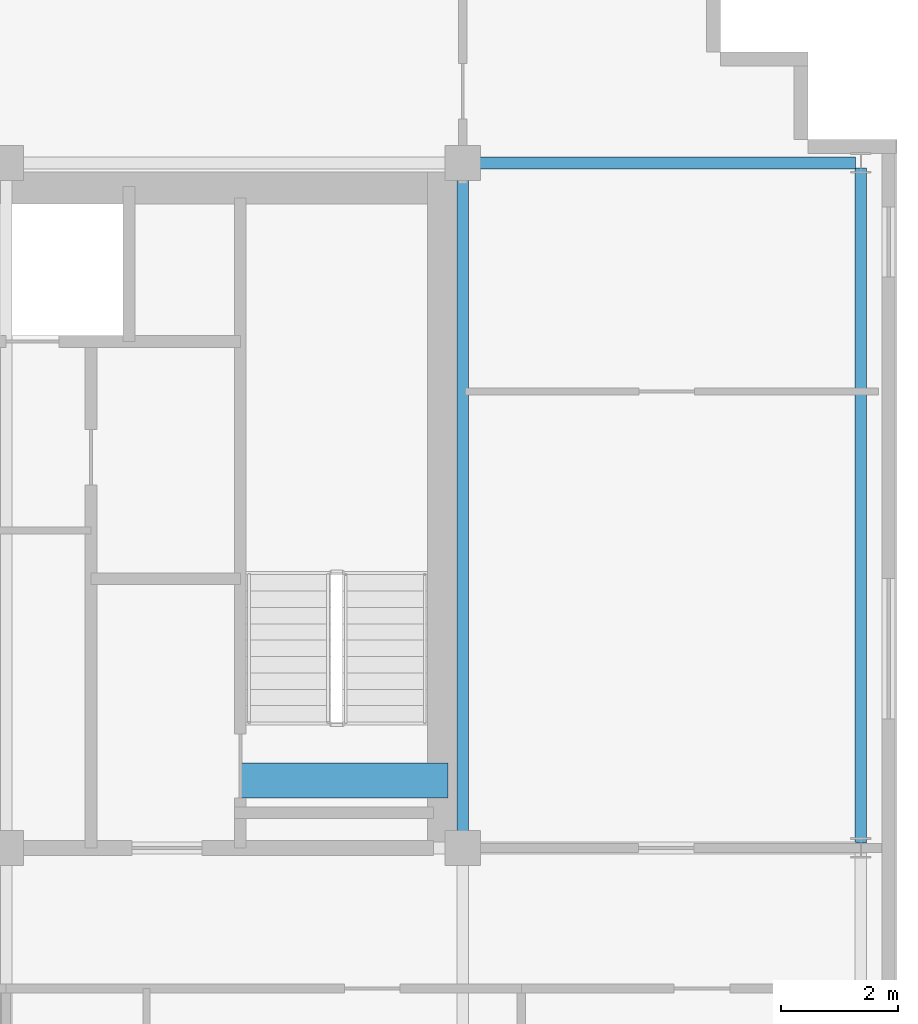
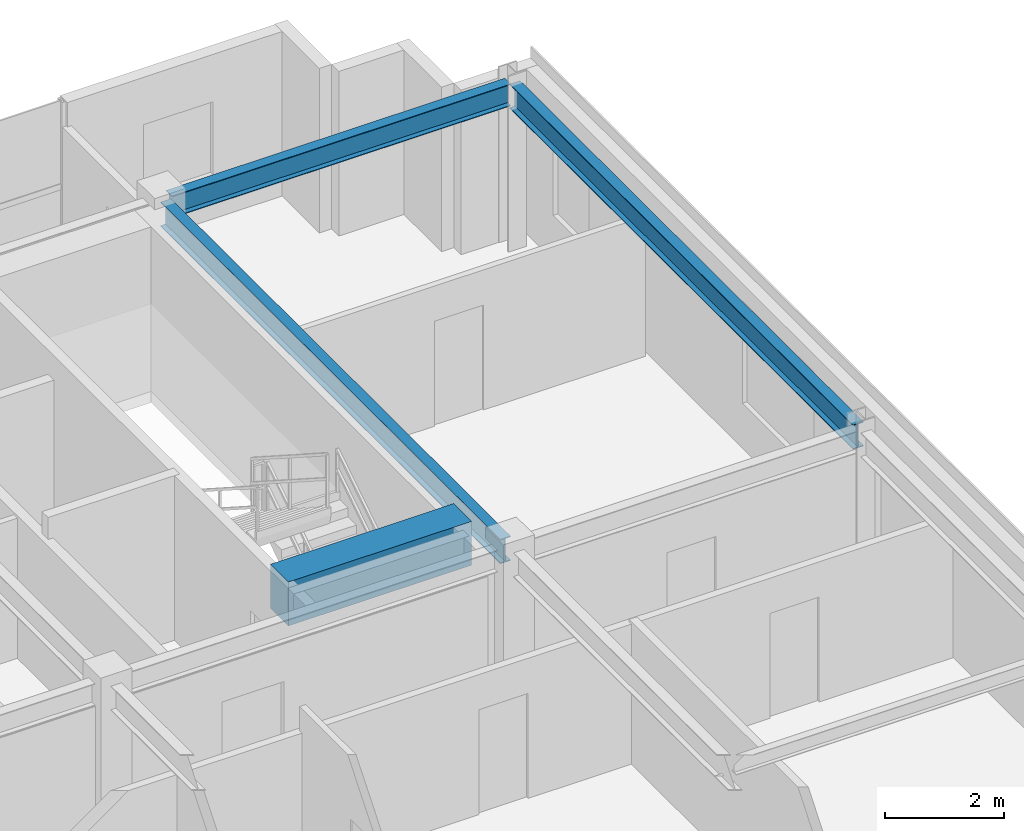
# One storey, part 13 of 22: 4 beams.
"""IFC4 building model written with IfcOpenShell, lengths in metres."""

from ifc_helpers import new_model, si_unit, direction, frame, origin, origin_2d, place, context, subcontext, project, spatial, rectangle, i_section, extrude, source, transform, mapped, material, material_profile, profile_set, type_object, element, save


model = new_model("IFC4")

# Units and contexts
model_context = context("Model", 3, precision=1e-05, world=origin(), true_north=direction((0.0, 1.0)))
body_context = subcontext(model_context, "Body", "Model", "MODEL_VIEW")
ifc_project = project(units=[si_unit("LENGTHUNIT", "METRE"), si_unit("AREAUNIT", "SQUARE_METRE"), si_unit("VOLUMEUNIT", "CUBIC_METRE"), si_unit("PLANEANGLEUNIT", "RADIAN"), si_unit("MASSUNIT", "GRAM", prefix="KILO")], contexts=[model_context])

# Site, building, storey
site_placement = place(None, origin())
site = spatial("IfcSite", under=ifc_project, at=site_placement, CompositionType="ELEMENT")
building_placement = place(site_placement, origin())
building = spatial("IfcBuilding", under=site, at=building_placement, Name="Trelvane Seafront Commons", CompositionType="ELEMENT")
storey_placement = place(building_placement, frame((0.0, 0.0, 281.10009765625)))
storey = spatial("IfcBuildingStorey", under=building, at=storey_placement, Name="L73", CompositionType="ELEMENT", Elevation=281.10009765625)

# Beams
ifc_material_1 = material(Name="Concrete C60/75", Category="concrete")
ifc_material_profile_1 = material_profile(ifc_material_1, rectangle(XDim=0.60009765625, YDim=0.89990234375, at=origin_2d()), Name="RC-600x900")
ifc_profile_set_1 = profile_set([ifc_material_profile_1], Name="Concrete C60/75")
beam_type_1 = type_object("IfcBeamType", Name="STR-LNT-RC600x900", PredefinedType="LINTEL", material=ifc_profile_set_1)
shared_shape_1 = source(origin(), body_context, "Body", "SweptSolid", [
    extrude(rectangle(XDim=0.60009765625, YDim=0.89990234375, at=origin_2d()), origin(), (0.0, 0.0, 1.0), 3.550048828125),
])
beam_1_placement = place(storey_placement, frame((55.0, 34.550048828125, 2.919921875), z_axis=(1.0, 0.0, 0.0), x_axis=(0.0, 1.0, 0.0)))
element("IfcBeam", 1, at=beam_1_placement, inside=storey, type_object=beam_type_1, Name="L73 Core Coupling Lintel Beam CB-68", PredefinedType="LINTEL", context=body_context, shape_type="MappedRepresentation", body=[
    mapped(shared_shape_1, transform((0.0, 0.0, 0.0), x_axis=(1.0, 0.0, 0.0), y_axis=(0.0, 1.0, 0.0), z_axis=(0.0, 0.0, 1.0), scale=1.0)),
])
ifc_material_2 = material(Name="Steel SM355 (S355)", Category="steel")
ifc_material_profile_2 = material_profile(ifc_material_2, i_section(OverallWidth=0.199951171875, OverallDepth=0.5, WebThickness=0.010009765625, FlangeThickness=0.01611328125, at=origin_2d()), Name="H-500x200x10x16")
ifc_profile_set_2 = profile_set([ifc_material_profile_2], Name="Steel SM355 (S355)")
beam_type_2 = type_object("IfcBeamType", Name="STR-BM-H500", PredefinedType="BEAM", material=ifc_profile_set_2)
shared_shape_2 = source(origin(), body_context, "Body", "SweptSolid", [
    extrude(i_section(OverallWidth=0.199951171875, OverallDepth=0.5, WebThickness=0.010009765625, FlangeThickness=0.01611328125, at=origin_2d()), origin(), (0.0, 0.0, 1.0), 11.39990234375),
])
beam_2_placement = place(storey_placement, frame((58.800048828125, 33.550048828125, 3.119873046875), z_axis=(0.0, 1.0, 0.0), x_axis=(-1.0, 0.0, 0.0)))
element("IfcBeam", 2, at=beam_2_placement, inside=storey, type_object=beam_type_2, Name="L73 Primary Girder G-49", PredefinedType="BEAM", context=body_context, shape_type="MappedRepresentation", body=[
    mapped(shared_shape_2, transform((0.0, 0.0, 0.0), x_axis=(1.0, 0.0, 0.0), y_axis=(0.0, 1.0, 0.0), z_axis=(0.0, 0.0, 1.0), scale=1.0)),
])
ifc_material_profile_3 = material_profile(ifc_material_2, i_section(OverallWidth=0.199951171875, OverallDepth=0.449951171875, WebThickness=0.009033203125, FlangeThickness=0.013916015625, at=origin_2d()), Name="H-450x200x9x14")
ifc_profile_set_3 = profile_set([ifc_material_profile_3], Name="Steel SM355 (S355)")
beam_type_3 = type_object("IfcBeamType", Name="STR-SPD-H450", PredefinedType="SPANDREL", material=ifc_profile_set_3)
shared_shape_3 = source(origin(), body_context, "Body", "SweptSolid", [
    extrude(i_section(OverallWidth=0.199951171875, OverallDepth=0.449951171875, WebThickness=0.009033203125, FlangeThickness=0.013916015625, at=origin_2d()), origin(), (0.0, 0.0, 1.0), 6.5625),
])
beam_3_placement = place(storey_placement, frame((58.949951171875, 45.10009765625, 3.14501953125), z_axis=(1.0, 0.0, 0.0), x_axis=(0.0, 1.0, 0.0)))
element("IfcBeam", 3, at=beam_3_placement, inside=storey, type_object=beam_type_3, Name="L73 Primary Girder G-28", PredefinedType="SPANDREL", context=body_context, shape_type="MappedRepresentation", body=[
    mapped(shared_shape_3, transform((0.0, 0.0, 0.0), x_axis=(1.0, 0.0, 0.0), y_axis=(0.0, 1.0, 0.0), z_axis=(0.0, 0.0, 1.0), scale=1.0)),
])
shared_shape_4 = source(origin(), body_context, "Body", "SweptSolid", [
    extrude(i_section(OverallWidth=0.199951171875, OverallDepth=0.5, WebThickness=0.010009765625, FlangeThickness=0.01611328125, at=origin_2d()), origin(), (0.0, 0.0, 1.0), 11.52490234375),
])
beam_4_placement = place(storey_placement, frame((65.60009765625, 33.487548828125, 3.119873046875), z_axis=(0.0, 1.0, 0.0), x_axis=(-1.0, 0.0, 0.0)))
element("IfcBeam", 4, at=beam_4_placement, inside=storey, type_object=beam_type_2, Name="L73 Primary Girder G-52", PredefinedType="BEAM", context=body_context, shape_type="MappedRepresentation", body=[
    mapped(shared_shape_4, transform((0.0, 0.0, 0.0), x_axis=(1.0, 0.0, 0.0), y_axis=(0.0, 1.0, 0.0), z_axis=(0.0, 0.0, 1.0), scale=1.0)),
])

save(model, "model.ifc")
